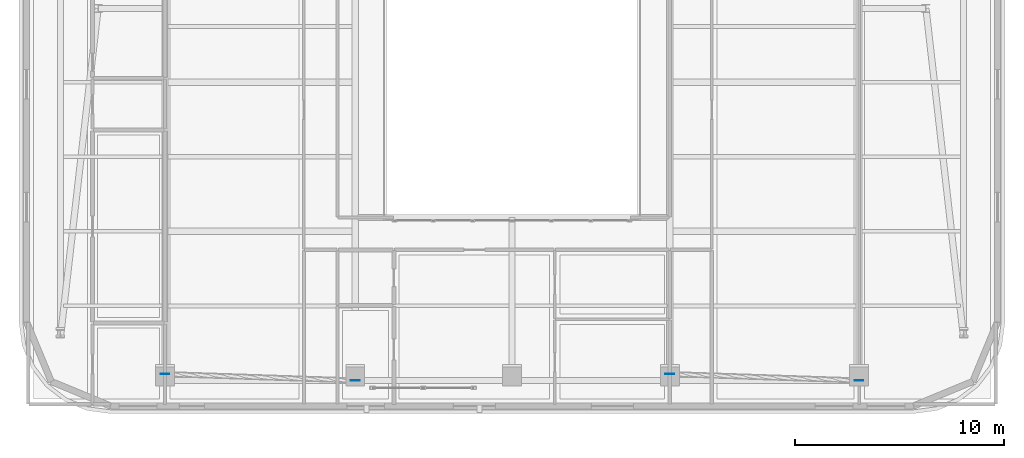
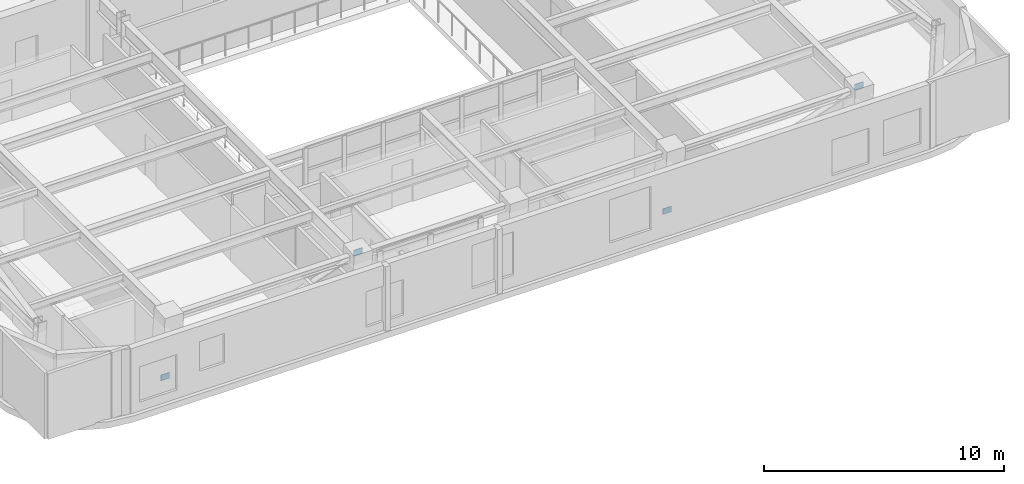
# One storey, part 5 of 14: 4 plates.
"""IFC4 building model written with IfcOpenShell, lengths in metres."""

from ifc_helpers import new_model, si_unit, direction, frame, origin, origin_2d, place, context, subcontext, project, spatial, rectangle, extrude, material, layer, layer_set, type_object, element, save


model = new_model("IFC4")

# Units and contexts
model_context = context("Model", 3, precision=1e-05, world=origin(), true_north=direction((0.0, 1.0)))
body_context = subcontext(model_context, "Body", "Model", "MODEL_VIEW")
ifc_project = project(units=[si_unit("LENGTHUNIT", "METRE"), si_unit("AREAUNIT", "SQUARE_METRE"), si_unit("VOLUMEUNIT", "CUBIC_METRE"), si_unit("PLANEANGLEUNIT", "RADIAN"), si_unit("MASSUNIT", "GRAM", prefix="KILO")], contexts=[model_context])

# Site, building, storey
site_placement = place(None, origin())
site = spatial("IfcSite", under=ifc_project, at=site_placement, CompositionType="ELEMENT")
building_placement = place(site_placement, origin())
building = spatial("IfcBuilding", under=site, at=building_placement, Name="Zarnavel Station Tower", CompositionType="ELEMENT")
storey_placement = place(building_placement, frame((0.0, 0.0, 222.0)))
storey = spatial("IfcBuildingStorey", under=building, at=storey_placement, Name="L60", CompositionType="ELEMENT", Elevation=222.0)

# Plates
ifc_material = material(Name="Steel S460M", Category="steel")
ifc_layer = layer(ifc_material, 0.02490234375)
ifc_layer_set = layer_set([ifc_layer], Name="GP_GUSSET_25")
plate_type = type_object("IfcPlateType", Name="GP_GUSSET_25", PredefinedType="USERDEFINED", material=ifc_layer_set)
for number, where, z_axis, x_axis, name in (
    (1, (12.199951171875, 6.1103515625, -0.14990234375), (0.0, 0.0, 1.0), (1.0, 0.0, 0.0), "L60 Exterior Diagonal Brace End Gusset 1-1"),
    (2, (21.300048828125, 5.8076171875, 3.18994140625), (0.0, 0.0, 1.0), (1.0, 0.0, 0.0), "L60 Exterior Diagonal Brace End Gusset 1-2"),
    (3, (36.35009765625, 6.1103515625, -0.14990234375), (0.0, 0.0, 1.0), (1.0, 0.0, 0.0), "L60 Exterior Diagonal Brace End Gusset 2-1"),
    (4, (45.39990234375, 5.8076171875, 3.18994140625), (0.0, 0.0, 1.0), (1.0, 0.0, 0.0), "L60 Exterior Diagonal Brace End Gusset 2-2"),
):
    element("IfcPlate", number, at=place(storey_placement, frame(where, z_axis=z_axis, x_axis=x_axis)), inside=storey, type_object=plate_type, Name=name, ObjectType="GUSSET_PLATE", PredefinedType="USERDEFINED", context=body_context, shape_type="SweptSolid", body=[
        extrude(rectangle(XDim=0.419921875, YDim=0.02490234375, at=origin_2d()), origin(), (0.0, 0.0, 1.0), 0.300048828125),
    ])

save(model, "model.ifc")
